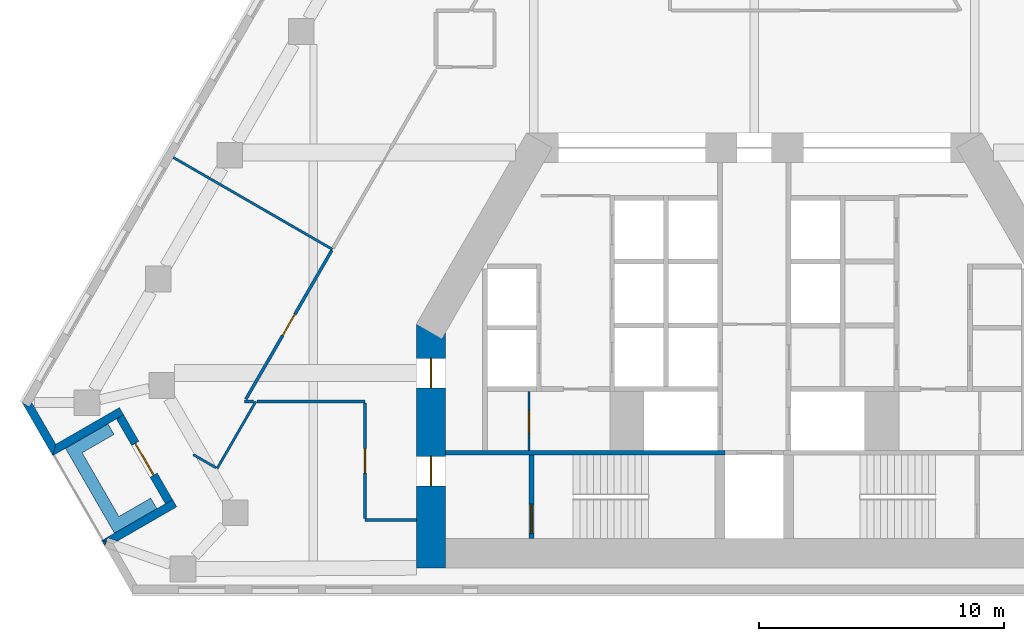
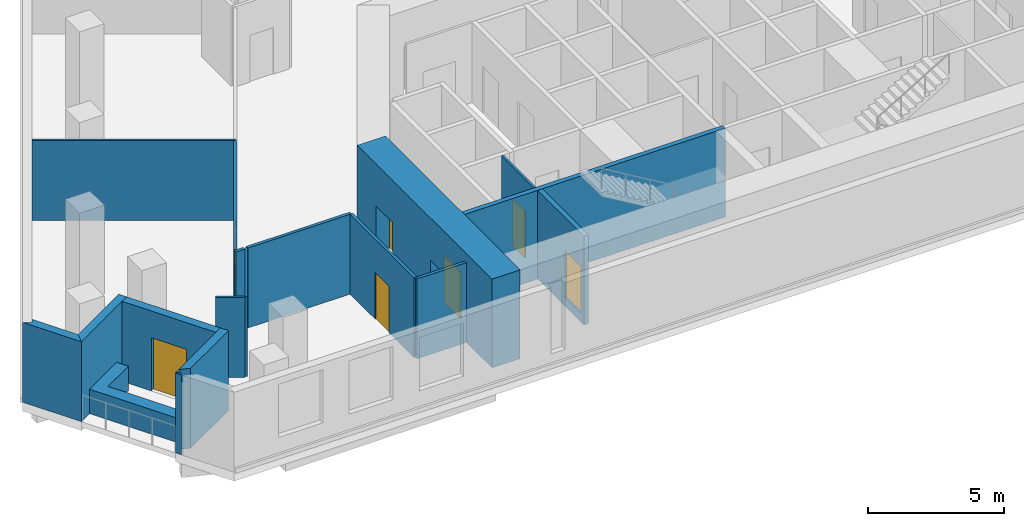
# One storey, part 3 of 10: 18 walls, 7 doors, 7 openings.
"""IFC4 building model written with IfcOpenShell, lengths in metres."""

from ifc_helpers import new_model, si_unit, direction, frame, frame_2d, origin, place, context, subcontext, project, spatial, polyline, rectangle, outline, extrude, material, layer, layer_set, type_object, element, fill, save


model = new_model("IFC4")

# Units and contexts
model_context = context("Model", 3, precision=1e-05, world=origin(), true_north=direction((0.0, 1.0)))
body_context = subcontext(model_context, "Body", "Model", "MODEL_VIEW")
ifc_project = project(units=[si_unit("LENGTHUNIT", "METRE"), si_unit("AREAUNIT", "SQUARE_METRE"), si_unit("VOLUMEUNIT", "CUBIC_METRE"), si_unit("PLANEANGLEUNIT", "RADIAN"), si_unit("MASSUNIT", "GRAM", prefix="KILO")], contexts=[model_context])

# Site, building, storey
site_placement = place(None, origin())
site = spatial("IfcSite", under=ifc_project, at=site_placement, CompositionType="ELEMENT")
building_placement = place(site_placement, origin())
building = spatial("IfcBuilding", under=site, at=building_placement, Name="Fogline Exchange Tower", CompositionType="ELEMENT")
storey_placement = place(building_placement, frame((0.0, 0.0, 124.10009765625)))
storey = spatial("IfcBuildingStorey", under=building, at=storey_placement, Name="L27", CompositionType="ELEMENT", Elevation=124.10009765625)

# Wall, opening, door
ifc_material_1 = material(Name="Blockwork partition", Category="masonry")
ifc_layer_1 = layer(ifc_material_1, 0.10009765625)
ifc_layer_set_1 = layer_set([ifc_layer_1], Name="CW10")
wall_type_1 = type_object("IfcWallType", Name="CW10", PredefinedType="PARTITIONING", material=ifc_layer_set_1)
wall_1_placement = place(storey_placement, frame((-9.199951171875, 5.85009765625, 0.0), z_axis=(0.0, 0.0, 1.0), x_axis=(0.0, 1.0, 0.0)))
wall_1 = element("IfcWall", 1, at=wall_1_placement, inside=storey, type_object=wall_type_1, Name="WC partition", PredefinedType="PARTITIONING", context=body_context, shape_type="SweptSolid", body=[
    extrude(rectangle(XDim=2.39990234375, YDim=0.10009765625, at=frame_2d((1.199951171875, 0.0))), origin(), (0.0, 0.0, 1.0), 3.599853515625),
])
opening_1_placement = place(wall_1_placement, frame((0.699951171875, 0.0, 0.0)))
opening_1 = element("IfcOpeningElement", 2, at=opening_1_placement, cuts=wall_1, Name="Opening T08-C009", PredefinedType="OPENING", context=body_context, shape_type="SweptSolid", body=[
    extrude(rectangle(XDim=0.89990234375, YDim=2.10009765625, at=frame_2d((0.449951171875, 1.050048828125))), frame((0.0, 0.06005859375, 0.0), z_axis=(0.0, -1.0, 0.0), x_axis=(1.0, 0.0, 0.0)), (0.0, 0.0, 1.0), 0.1201171875),
])
ifc_material_2 = material(Name="Steel and timber fire door", Category="steel")
door_type_1 = type_object("IfcDoorType", Name="D-CS1", OperationType="SINGLE_SWING_RIGHT", PredefinedType="DOOR", material=ifc_material_2)
door_1_placement = place(opening_1_placement, origin())
door_1 = element("IfcDoor", 3, at=door_1_placement, inside=storey, type_object=door_type_1, Name="Door to Cleaner's Store", OperationType="SINGLE_SWING_LEFT", OverallHeight=2.10009765625, OverallWidth=0.89990234375, PredefinedType="DOOR", context=body_context, shape_type="SweptSolid", body=[
    extrude(rectangle(XDim=0.89990234375, YDim=2.10009765625, at=frame_2d((0.449951171875, 1.050048828125))), frame((0.0, 0.02490234375, 0.0), z_axis=(0.0, -1.0, 0.0), x_axis=(1.0, 0.0, 0.0)), (0.0, 0.0, 1.0), 0.050048828125),
])
fill(opening_1, door_1)

# Wall
ifc_material_3 = material(Name="Concrete C40", Category="concrete")
ifc_layer_2 = layer(ifc_material_3, 0.199951171875)
ifc_layer_set_2 = layer_set([ifc_layer_2], Name="CW20R")
wall_type_2 = type_object("IfcWallType", Name="CW20R", PredefinedType="SOLIDWALL", material=ifc_layer_set_2)
wall_2_placement = place(storey_placement, frame((-12.60009765625, 5.75, -0.400146484375), z_axis=(0.0, 0.0, 1.0), x_axis=(1.0, 0.0, 0.0)))
element("IfcWall", 4, at=wall_2_placement, inside=storey, type_object=wall_type_2, Name="Stair enclosure wall", PredefinedType="SOLIDWALL", context=body_context, shape_type="SweptSolid", body=[
    extrude(rectangle(XDim=11.400146484375, YDim=0.199951171875, at=frame_2d((5.7001953125, 0.0))), origin(), (0.0, 0.0, 1.0), 4.0),
])

# Wall, opening, door
wall_3_placement = place(storey_placement, frame((-9.10009765625, 2.25, -0.400146484375), z_axis=(0.0, 0.0, 1.0), x_axis=(0.0, 1.0, 0.0)))
wall_3 = element("IfcWall", 5, at=wall_3_placement, inside=storey, type_object=wall_type_2, Name="Stair enclosure wall", PredefinedType="SOLIDWALL", context=body_context, shape_type="SweptSolid", body=[
    extrude(rectangle(XDim=3.39990234375, YDim=0.199951171875, at=frame_2d((1.699951171875, 0.0))), origin(), (0.0, 0.0, 1.0), 4.0),
])
opening_2_placement = place(wall_3_placement, frame((0.199951171875, 0.0, 0.39990234375)))
opening_2 = element("IfcOpeningElement", 6, at=opening_2_placement, cuts=wall_3, Name="Opening T08-C011", PredefinedType="OPENING", context=body_context, shape_type="SweptSolid", body=[
    extrude(rectangle(XDim=1.199951171875, YDim=2.10009765625, at=frame_2d((0.60009765625, 1.050048828125))), frame((0.0, 0.10986328125, 0.0), z_axis=(0.0, -1.0, 0.0), x_axis=(1.0, 0.0, 0.0)), (0.0, 0.0, 1.0), 0.219970703125),
])
door_type_2 = type_object("IfcDoorType", Name="D-ST1", OperationType="SINGLE_SWING_LEFT", PredefinedType="DOOR", material=ifc_material_2)
door_2_placement = place(opening_2_placement, frame((1.199951171875, 0.0, 0.0), z_axis=(0.0, 0.0, 1.0), x_axis=(-1.0, 0.0, 0.0)))
door_2 = element("IfcDoor", 7, at=door_2_placement, inside=storey, type_object=door_type_2, Name="Stair door ST1", OperationType="SINGLE_SWING_RIGHT", OverallHeight=2.10009765625, OverallWidth=1.199951171875, PredefinedType="DOOR", context=body_context, shape_type="SweptSolid", body=[
    extrude(rectangle(XDim=1.199951171875, YDim=2.10009765625, at=frame_2d((0.60009765625, 1.050048828125))), frame((0.0, 0.02490234375, 0.0), z_axis=(0.0, -1.0, 0.0), x_axis=(1.0, 0.0, 0.0)), (0.0, 0.0, 1.0), 0.050048828125),
])
fill(opening_2, door_2)

# Walls
ifc_material_4 = material(Name="Brick masonry", Category="masonry")
ifc_layer_3 = layer(ifc_material_4, 0.340087890625)
ifc_layer_set_3 = layer_set([ifc_layer_3], Name="FW1")
wall_type_3 = type_object("IfcWallType", Name="FW1", PredefinedType="SOLIDWALL", material=ifc_layer_set_3)
wall_4_placement = place(storey_placement, origin())
element("IfcWall", 8, at=wall_4_placement, inside=storey, type_object=wall_type_3, Name="Brick wall L27 SW-c1", PredefinedType="SOLIDWALL", context=body_context, shape_type="SweptSolid", body=[
    extrude(outline(polyline([(-28.643310546875, 5.6279296875), (-29.894287109375, 7.794921875), (-29.893798828125, 7.79541015625), (-29.59912109375, 7.625), (-29.500732421875, 7.79541015625), (-28.51806640625, 6.09375), (-28.64306640625, 5.6279296875), (-28.643310546875, 5.6279296875)])), origin(), (0.0, 0.0, 1.0), 3.599853515625),
])
wall_5_placement = place(storey_placement, origin())
element("IfcWall", 9, at=wall_5_placement, inside=storey, type_object=wall_type_3, Name="Brick wall L27 SW-s1", PredefinedType="SOLIDWALL", context=body_context, shape_type="SweptSolid", body=[
    extrude(outline(polyline([(-25.92041015625, 7.594482421875), (-25.75, 7.298828125), (-26.044921875, 7.128662109375), (-28.643798828125, 5.628173828125), (-28.64404296875, 5.62841796875), (-28.519287109375, 6.093994140625), (-25.92041015625, 7.594482421875)])), origin(), (0.0, 0.0, 1.0), 3.599853515625),
])

# Wall, opening, door
wall_6_placement = place(storey_placement, frame((-25.89794921875, 7.214111328125, 0.0), z_axis=(0.0, 0.0, 1.0), x_axis=(0.49999894854, -0.866026010844, 0.0)))
wall_6 = element("IfcWall", 10, at=wall_6_placement, inside=storey, type_object=wall_type_3, Name="Brick wall L27 SW-bk", PredefinedType="SOLIDWALL", context=body_context, shape_type="SweptSolid", body=[
    extrude(rectangle(XDim=4.0, YDim=0.340087890625, at=frame_2d((2.0, 0.0))), origin(), (0.0, 0.0, 1.0), 3.599853515625),
])
opening_3_placement = place(wall_6_placement, frame((1.25, 0.0, 0.0)))
opening_3 = element("IfcOpeningElement", 11, at=opening_3_placement, cuts=wall_6, Name="Opening T08-E021", PredefinedType="OPENING", context=body_context, shape_type="SweptSolid", body=[
    extrude(rectangle(XDim=1.5, YDim=2.39990234375, at=frame_2d((0.75, 1.199951171875))), frame((0.0, 0.18017578125, 0.0), z_axis=(0.0, -1.0, 0.0), x_axis=(1.0, 0.0, 0.0)), (0.0, 0.0, 1.0), 0.360107421875),
])
ifc_material_5 = material(Name="Aluminium and glass", Category="aluminium")
door_type_3 = type_object("IfcDoorType", Name="ED4", OperationType="SINGLE_SWING_LEFT", PredefinedType="DOOR", material=ifc_material_5)
door_3_placement = place(opening_3_placement, frame((1.5, 0.0, 0.0), z_axis=(0.0, 0.0, 1.0), x_axis=(-1.0, 0.0, 0.0)))
door_3 = element("IfcDoor", 12, at=door_3_placement, inside=storey, type_object=door_type_3, Name="Balcony door L27 SW", OperationType="DOUBLE_DOOR_SINGLE_SWING", OverallHeight=2.39990234375, OverallWidth=1.5, PredefinedType="DOOR", context=body_context, shape_type="SweptSolid", body=[
    extrude(rectangle(XDim=1.5, YDim=2.39990234375, at=frame_2d((0.75, 1.199951171875))), frame((0.0, 0.02490234375, 0.0), z_axis=(0.0, -1.0, 0.0), x_axis=(1.0, 0.0, 0.0)), (0.0, 0.0, 1.0), 0.050048828125),
])
fill(opening_3, door_3)

# Walls
wall_7_placement = place(storey_placement, origin())
element("IfcWall", 13, at=wall_7_placement, inside=storey, type_object=wall_type_3, Name="Brick wall L27 SW-s2", PredefinedType="SOLIDWALL", context=body_context, shape_type="SweptSolid", body=[
    extrude(outline(polyline([(-24.04541015625, 3.66552734375), (-23.75048828125, 3.8359375), (-23.579833984375, 3.540283203125), (-26.005615234375, 2.139892578125), (-26.402587890625, 2.277587890625), (-26.458984375, 2.114990234375), (-26.64453125, 2.164794921875), (-26.64453125, 2.1650390625), (-24.04541015625, 3.66552734375)])), origin(), (0.0, 0.0, 1.0), 3.599853515625),
])
wall_8_placement = place(storey_placement, origin())
element("IfcWall", 14, at=wall_8_placement, inside=storey, type_object=wall_type_3, Name="Brick wall L27 SW-c2", PredefinedType="SOLIDWALL", context=body_context, shape_type="SweptSolid", body=[
    extrude(outline(polyline([(-26.644287109375, 2.165771484375), (-26.64404296875, 2.166015625), (-26.45849609375, 2.1162109375), (-26.517578125, 1.946044921875), (-26.644287109375, 2.165771484375)])), origin(), (0.0, 0.0, 1.0), 3.599853515625),
])
ifc_material_6 = material(Name="Concrete C30", Category="concrete")
ifc_layer_4 = layer(ifc_material_6, 0.199951171875)
ifc_layer_set_4 = layer_set([ifc_layer_4], Name="PL1")
wall_type_4 = type_object("IfcWallType", Name="PL1", PredefinedType="USERDEFINED", material=ifc_layer_set_4)
wall_9_placement = place(storey_placement, origin())
element("IfcWall", 15, at=wall_9_placement, inside=storey, type_object=wall_type_4, Name="PLANTER balcony L27 SW", ObjectType="PLANTER", PredefinedType="USERDEFINED", context=body_context, shape_type="SweptSolid", body=[
    extrude(outline(polyline([(-24.6416015625, 3.898193359375), (-25.940673828125, 3.148193359375), (-27.440673828125, 5.74609375), (-26.1416015625, 6.49609375), (-26.3916015625, 6.92919921875), (-28.12353515625, 5.92919921875), (-27.87353515625, 5.49609375), (-26.12353515625, 2.465087890625), (-25.690673828125, 2.715087890625), (-25.690673828125, 2.715087890625), (-24.3916015625, 3.465087890625), (-24.6416015625, 3.898193359375)])), origin(), (0.0, 0.0, 1.0), 1.099853515625),
])
ifc_material_7 = material(Name="Plasterboard partition, 2 layers each side on steel studs", Category="steel")
ifc_layer_5 = layer(ifc_material_7, 0.10009765625)
ifc_layer_set_5 = layer_set([ifc_layer_5], Name="PW1")
wall_type_5 = type_object("IfcWallType", Name="PW1", PredefinedType="PARTITIONING", material=ifc_layer_set_5)
wall_10_placement = place(storey_placement, frame((-17.2265625, 14.0537109375, 0.0), z_axis=(0.0, 0.0, 1.0), x_axis=(-0.866022959057, 0.500004234368, 0.0)))
element("IfcWall", 16, at=wall_10_placement, inside=storey, type_object=wall_type_5, Name="wall-L27-W044", PredefinedType="PARTITIONING", context=body_context, shape_type="SweptSolid", body=[
    extrude(rectangle(XDim=7.5, YDim=0.10009765625, at=frame_2d((3.75, 0.0))), origin(), (0.0, 0.0, 1.0), 3.599853515625),
])
wall_11_placement = place(storey_placement, frame((-20.35205078125, 7.840087890625, 0.0), z_axis=(0.0, 0.0, 1.0), x_axis=(-0.499968102766, -0.866043818878, 0.0)))
element("IfcWall", 17, at=wall_11_placement, inside=storey, type_object=wall_type_5, Name="wall-L27-W045", PredefinedType="PARTITIONING", context=body_context, shape_type="SweptSolid", body=[
    extrude(rectangle(XDim=3.154541015625, YDim=0.10009765625, at=frame_2d((1.5771484375, 0.0))), origin(), (0.0, 0.0, 1.0), 3.599853515625),
])
wall_12_placement = place(storey_placement, frame((-21.97265625, 5.13330078125, 0.0), z_axis=(0.0, 0.0, 1.0), x_axis=(-0.866046010305, 0.49996430676, 0.0)))
element("IfcWall", 18, at=wall_12_placement, inside=storey, type_object=wall_type_5, Name="wall-L27-W046", PredefinedType="PARTITIONING", context=body_context, shape_type="SweptSolid", body=[
    extrude(rectangle(XDim=1.07763671875, YDim=0.10009765625, at=frame_2d((0.538818359375, 0.0))), origin(), (0.0, 0.0, 1.0), 3.599853515625),
])
ifc_material_8 = material(Name="Plasterboard corridor partition with mineral wool, 2 layers each side")
ifc_layer_6 = layer(ifc_material_8, 0.125)
ifc_layer_set_6 = layer_set([ifc_layer_6], Name="PW2")
wall_type_6 = type_object("IfcWallType", Name="PW2", PredefinedType="PARTITIONING", material=ifc_layer_set_6)
wall_13_placement = place(storey_placement, frame((-13.800048828125, 3.0, 0.0), z_axis=(0.0, 0.0, 1.0), x_axis=(-1.0, 0.0, 0.0)))
element("IfcWall", 19, at=wall_13_placement, inside=storey, type_object=wall_type_6, Name="wall-L27-W009", PredefinedType="PARTITIONING", context=body_context, shape_type="SweptSolid", body=[
    extrude(rectangle(XDim=2.099853515625, YDim=0.125, at=frame_2d((1.0498046875, 0.0))), origin(), (0.0, 0.0, 1.0), 3.599853515625),
])

# Wall, opening, door
wall_14_placement = place(storey_placement, frame((-15.89990234375, 3.0625, 0.0), z_axis=(0.0, 0.0, 1.0), x_axis=(0.0, 1.0, 0.0)))
wall_14 = element("IfcWall", 20, at=wall_14_placement, inside=storey, type_object=wall_type_6, Name="wall-L27-W010", PredefinedType="PARTITIONING", context=body_context, shape_type="SweptSolid", body=[
    extrude(rectangle(XDim=4.715087890625, YDim=0.125, at=frame_2d((2.357421875, 0.0))), origin(), (0.0, 0.0, 1.0), 3.599853515625),
])
opening_4_placement = place(wall_14_placement, frame((1.857421875, 0.0, 0.0)))
opening_4 = element("IfcOpeningElement", 21, at=opening_4_placement, cuts=wall_14, Name="Opening T08-D004", PredefinedType="OPENING", context=body_context, shape_type="SweptSolid", body=[
    extrude(rectangle(XDim=1.0, YDim=2.10009765625, at=frame_2d((0.5, 1.050048828125))), frame((0.0, 0.072509765625, 0.0), z_axis=(0.0, -1.0, 0.0), x_axis=(1.0, 0.0, 0.0)), (0.0, 0.0, 1.0), 0.14501953125),
])
ifc_material_9 = material(Name="Fire-rated timber door leaf with steel frame", Category="steel")
door_type_4 = type_object("IfcDoorType", Name="D3", OperationType="SINGLE_SWING_LEFT", PredefinedType="DOOR", material=ifc_material_9)
door_4_placement = place(opening_4_placement, origin())
door_4 = element("IfcDoor", 22, at=door_4_placement, inside=storey, type_object=door_type_4, Name="door-L27-D004", OperationType="SINGLE_SWING_LEFT", OverallHeight=2.10009765625, OverallWidth=1.0, PredefinedType="DOOR", context=body_context, shape_type="SweptSolid", body=[
    extrude(rectangle(XDim=1.0, YDim=2.10009765625, at=frame_2d((0.5, 1.050048828125))), frame((0.0, 0.02490234375, 0.0), z_axis=(0.0, -1.0, 0.0), x_axis=(1.0, 0.0, 0.0)), (0.0, 0.0, 1.0), 0.050048828125),
])
fill(opening_4, door_4)

# Wall
wall_15_placement = place(storey_placement, frame((-20.4462890625, 7.840087890625, 0.0), z_axis=(0.0, 0.0, 1.0), x_axis=(-1.0, 0.0, 0.0)))
element("IfcWall", 23, at=wall_15_placement, inside=storey, type_object=wall_type_6, Name="wall-L27-W026", PredefinedType="PARTITIONING", context=body_context, shape_type="SweptSolid", body=[
    extrude(rectangle(XDim=0.36767578125, YDim=0.125, at=frame_2d((0.183837890625, 0.0))), origin(), (0.0, 0.0, 1.0), 3.599853515625),
])

# Wall, opening, door
wall_16_placement = place(storey_placement, frame((-20.759521484375, 7.93408203125, 0.0), z_axis=(0.0, 0.0, 1.0), x_axis=(0.499986528978, 0.866033181143, 0.0)))
wall_16 = element("IfcWall", 24, at=wall_16_placement, inside=storey, type_object=wall_type_6, Name="wall-L27-W027", PredefinedType="PARTITIONING", context=body_context, shape_type="SweptSolid", body=[
    extrude(rectangle(XDim=7.015869140625, YDim=0.125, at=frame_2d((3.5078125, 0.0))), origin(), (0.0, 0.0, 1.0), 3.599853515625),
])
opening_5_placement = place(wall_16_placement, frame((3.0078125, 0.0, 0.0)))
opening_5 = element("IfcOpeningElement", 25, at=opening_5_placement, cuts=wall_16, Name="Opening T08-D012", PredefinedType="OPENING", context=body_context, shape_type="SweptSolid", body=[
    extrude(rectangle(XDim=1.0, YDim=2.10009765625, at=frame_2d((0.5, 1.050048828125))), frame((0.0, 0.072509765625, 0.0), z_axis=(0.0, -1.0, 0.0), x_axis=(1.0, 0.0, 0.0)), (0.0, 0.0, 1.0), 0.14501953125),
])
door_5_placement = place(opening_5_placement, origin())
door_5 = element("IfcDoor", 26, at=door_5_placement, inside=storey, type_object=door_type_4, Name="door-L27-D012", OperationType="SINGLE_SWING_LEFT", OverallHeight=2.10009765625, OverallWidth=1.0, PredefinedType="DOOR", context=body_context, shape_type="SweptSolid", body=[
    extrude(rectangle(XDim=1.0, YDim=2.10009765625, at=frame_2d((0.5, 1.050048828125))), frame((0.0, 0.02490234375, 0.0), z_axis=(0.0, -1.0, 0.0), x_axis=(1.0, 0.0, 0.0)), (0.0, 0.0, 1.0), 0.050048828125),
])
fill(opening_5, door_5)

# Wall
wall_17_placement = place(storey_placement, frame((-15.89990234375, 7.840087890625, 0.0), z_axis=(0.0, 0.0, 1.0), x_axis=(-1.0, 0.0, 0.0)))
element("IfcWall", 27, at=wall_17_placement, inside=storey, type_object=wall_type_6, Name="wall-L27-W028", PredefinedType="PARTITIONING", context=body_context, shape_type="SweptSolid", body=[
    extrude(rectangle(XDim=4.408447265625, YDim=0.125, at=frame_2d((2.2041015625, 0.0))), origin(), (0.0, 0.0, 1.0), 3.599853515625),
])

# Wall, openings, doors
ifc_material_10 = material(Name="Concrete C60", Category="concrete")
ifc_layer_7 = layer(ifc_material_10, 1.199951171875)
ifc_layer_set_7 = layer_set([ifc_layer_7], Name="SW02")
wall_type_7 = type_object("IfcWallType", Name="SW02", PredefinedType="SHEAR", material=ifc_layer_set_7)
wall_18_placement = place(storey_placement, frame((-13.199951171875, 10.9990234375, 0.0), z_axis=(0.0, 0.0, 1.0), x_axis=(0.0, -1.0, 0.0)))
wall_18 = element("IfcWall", 28, at=wall_18_placement, inside=storey, type_object=wall_type_7, Name="L27-W906", PredefinedType="SHEAR", context=body_context, shape_type="SweptSolid", body=[
    extrude(rectangle(XDim=9.948974609375, YDim=1.199951171875, at=frame_2d((4.974609375, 0.0))), origin(), (0.0, 0.0, 1.0), 4.0),
])
opening_6_placement = place(wall_18_placement, frame((5.39892578125, 0.0, 0.0)))
opening_6 = element("IfcOpeningElement", 29, at=opening_6_placement, cuts=wall_18, Name="Opening T08-C010", PredefinedType="OPENING", context=body_context, shape_type="SweptSolid", body=[
    extrude(rectangle(XDim=1.199951171875, YDim=2.10009765625, at=frame_2d((0.60009765625, 1.050048828125))), frame((0.0, 0.60986328125, 0.0), z_axis=(0.0, -1.0, 0.0), x_axis=(1.0, 0.0, 0.0)), (0.0, 0.0, 1.0), 1.219970703125),
])
opening_7_placement = place(wall_18_placement, frame((1.39892578125, 0.0, 0.0)))
opening_7 = element("IfcOpeningElement", 30, at=opening_7_placement, cuts=wall_18, Name="Opening T08-C012", PredefinedType="OPENING", context=body_context, shape_type="SweptSolid", body=[
    extrude(rectangle(XDim=1.199951171875, YDim=2.10009765625, at=frame_2d((0.60009765625, 1.050048828125))), frame((0.0, 0.60986328125, 0.0), z_axis=(0.0, -1.0, 0.0), x_axis=(1.0, 0.0, 0.0)), (0.0, 0.0, 1.0), 1.219970703125),
])
door_type_5 = type_object("IfcDoorType", Name="D-FR1", OperationType="SINGLE_SWING_RIGHT", PredefinedType="DOOR", material=ifc_material_2)
door_6_placement = place(opening_6_placement, origin())
door_6 = element("IfcDoor", 31, at=door_6_placement, inside=storey, type_object=door_type_5, Name="Front room door ST1", OperationType="SINGLE_SWING_LEFT", OverallHeight=2.10009765625, OverallWidth=1.199951171875, PredefinedType="DOOR", context=body_context, shape_type="SweptSolid", body=[
    extrude(rectangle(XDim=1.199951171875, YDim=2.10009765625, at=frame_2d((0.60009765625, 1.050048828125))), frame((0.0, 0.02490234375, 0.0), z_axis=(0.0, -1.0, 0.0), x_axis=(1.0, 0.0, 0.0)), (0.0, 0.0, 1.0), 0.050048828125),
])
fill(opening_6, door_6)
door_type_6 = type_object("IfcDoorType", Name="D-SV1", OperationType="SINGLE_SWING_LEFT", PredefinedType="DOOR", material=ifc_material_2)
door_7_placement = place(opening_7_placement, origin())
door_7 = element("IfcDoor", 32, at=door_7_placement, inside=storey, type_object=door_type_6, Name="Service door W", OperationType="SINGLE_SWING_LEFT", OverallHeight=2.10009765625, OverallWidth=1.199951171875, PredefinedType="DOOR", context=body_context, shape_type="SweptSolid", body=[
    extrude(rectangle(XDim=1.199951171875, YDim=2.10009765625, at=frame_2d((0.60009765625, 1.050048828125))), frame((0.0, 0.02490234375, 0.0), z_axis=(0.0, -1.0, 0.0), x_axis=(1.0, 0.0, 0.0)), (0.0, 0.0, 1.0), 0.050048828125),
])
fill(opening_7, door_7)

save(model, "model.ifc")
